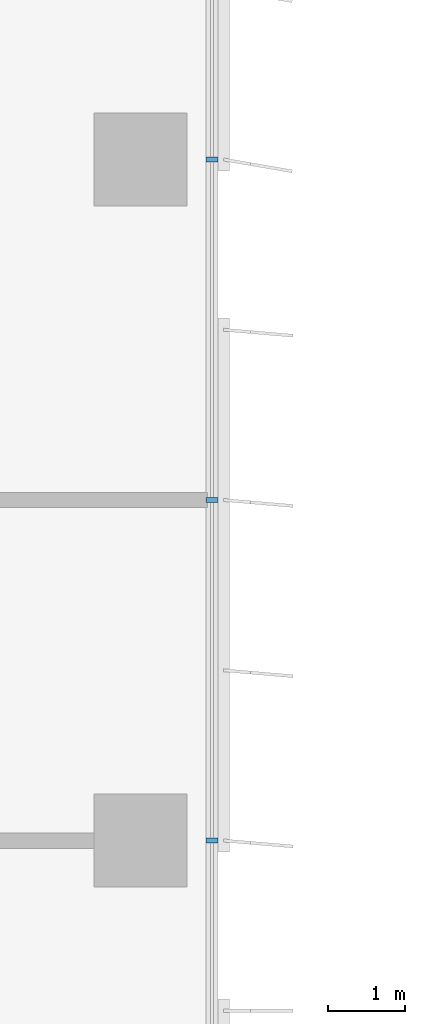
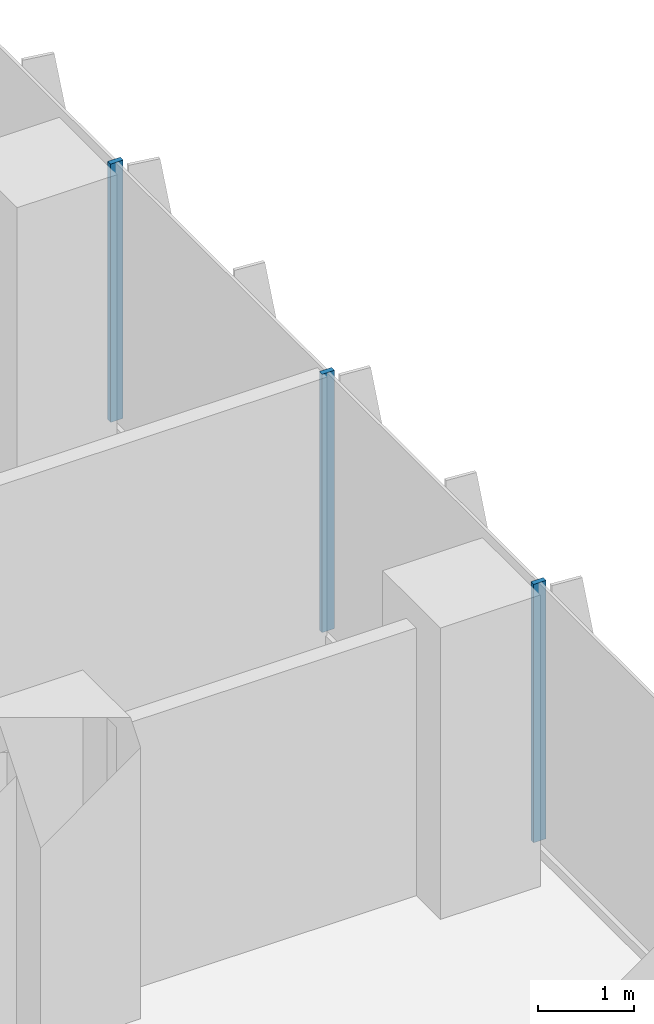
# One storey, part 7 of 23: 3 members, 1 element without a shape of its own.
"""IFC4 building model written with IfcOpenShell, lengths in metres."""

from ifc_helpers import new_model, si_unit, direction, frame, origin, origin_2d, place, context, subcontext, project, spatial, rectangle, extrude, source, transform, mapped, material, material_profile, profile_set, type_object, element, aggregate, save


model = new_model("IFC4")

# Units and contexts
model_context = context("Model", 3, precision=1e-05, world=origin(), true_north=direction((0.0, 1.0)))
body_context = subcontext(model_context, "Body", "Model", "MODEL_VIEW")
ifc_project = project(units=[si_unit("LENGTHUNIT", "METRE"), si_unit("AREAUNIT", "SQUARE_METRE"), si_unit("VOLUMEUNIT", "CUBIC_METRE"), si_unit("PLANEANGLEUNIT", "RADIAN"), si_unit("MASSUNIT", "GRAM", prefix="KILO")], contexts=[model_context])

# Site, building, storey
site_placement = place(None, origin())
site = spatial("IfcSite", under=ifc_project, at=site_placement, CompositionType="ELEMENT")
building_placement = place(site_placement, origin())
building = spatial("IfcBuilding", under=site, at=building_placement, Name="Kemantara Hotel Tower", CompositionType="ELEMENT")
storey_placement = place(building_placement, frame((0.0, 0.0, 138.300048828125)))
storey = spatial("IfcBuildingStorey", under=building, at=storey_placement, Name="L33", CompositionType="ELEMENT", Elevation=138.300048828125)

# Curtain wall, members
ifc_material_1 = material(Name="Low-E tinted double insulated glass 36 mm", Category="glass")
curtain_wall_type = type_object("IfcCurtainWallType", Name="TOWER CURTAIN WALL, FRONT FACES", PredefinedType="USERDEFINED", material=ifc_material_1)
curtain_wall_placement = place(storey_placement, origin())
curtain_wall = element("IfcCurtainWall", 1, at=curtain_wall_placement, inside=storey, type_object=curtain_wall_type, Name="CW4 L33 T2-R14-1", ObjectType="TOWER CURTAIN WALL, FRONT FACES", PredefinedType="USERDEFINED")
ifc_material_2 = material(Name="Aluminium 6063-T6 bronze anodised", Category="aluminium")
ifc_material_profile = material_profile(ifc_material_2, rectangle(XDim=0.14990234375, YDim=0.06005859375, at=origin_2d()), Name="TOWER CURTAIN WALL, FRONT FACES MULLION")
ifc_profile_set = profile_set([ifc_material_profile], Name="Aluminium 6063-T6 bronze anodised")
member_type = type_object("IfcMemberType", Name="TOWER CURTAIN WALL, FRONT FACES MULLION", PredefinedType="MULLION", material=ifc_profile_set)
shared_shape = source(origin(), body_context, "Body", "SweptSolid", [
    extrude(rectangle(XDim=0.14990234375, YDim=0.06005859375, at=origin_2d()), origin(), (0.0, 0.0, 1.0), 3.280029296875),
])
member_1_placement = place(storey_placement, frame((26.72509765625, 53.800048828125, 0.119873046875), z_axis=(0.0, 0.0, 1.0), x_axis=(-1.0, 0.0, 0.0)))
member_1 = element("IfcMember", 2, at=member_1_placement, type_object=member_type, Name="CW4 mullion T2-R14-1.9", PredefinedType="MULLION", context=body_context, shape_type="MappedRepresentation", body=[
    mapped(shared_shape, transform((0.0, 0.0, 0.0))),
])
member_2_placement = place(storey_placement, frame((26.72509765625, 58.199951171875, 0.119873046875), z_axis=(0.0, 0.0, 1.0), x_axis=(-1.0, 0.0, 0.0)))
member_2 = element("IfcMember", 3, at=member_2_placement, type_object=member_type, Name="CW4 mullion T2-R14-1.10", PredefinedType="MULLION", context=body_context, shape_type="MappedRepresentation", body=[
    mapped(shared_shape, transform((0.0, 0.0, 0.0))),
])
member_3_placement = place(storey_placement, frame((26.72509765625, 62.60009765625, 0.119873046875), z_axis=(0.0, 0.0, 1.0), x_axis=(-1.0, 0.0, 0.0)))
member_3 = element("IfcMember", 4, at=member_3_placement, type_object=member_type, Name="CW4 mullion T2-R14-1.11", PredefinedType="MULLION", context=body_context, shape_type="MappedRepresentation", body=[
    mapped(shared_shape, transform((0.0, 0.0, 0.0))),
])
aggregate(curtain_wall, [member_1, member_2, member_3])

save(model, "model.ifc")
